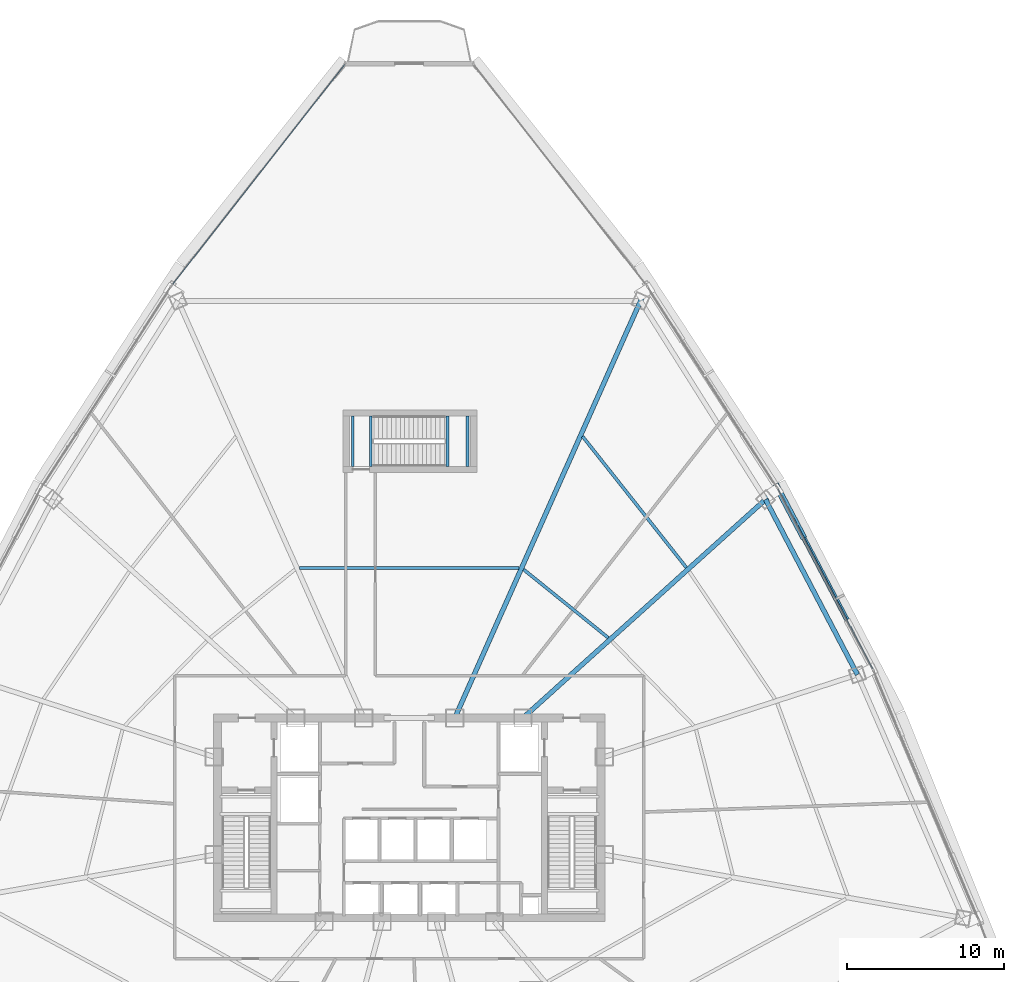
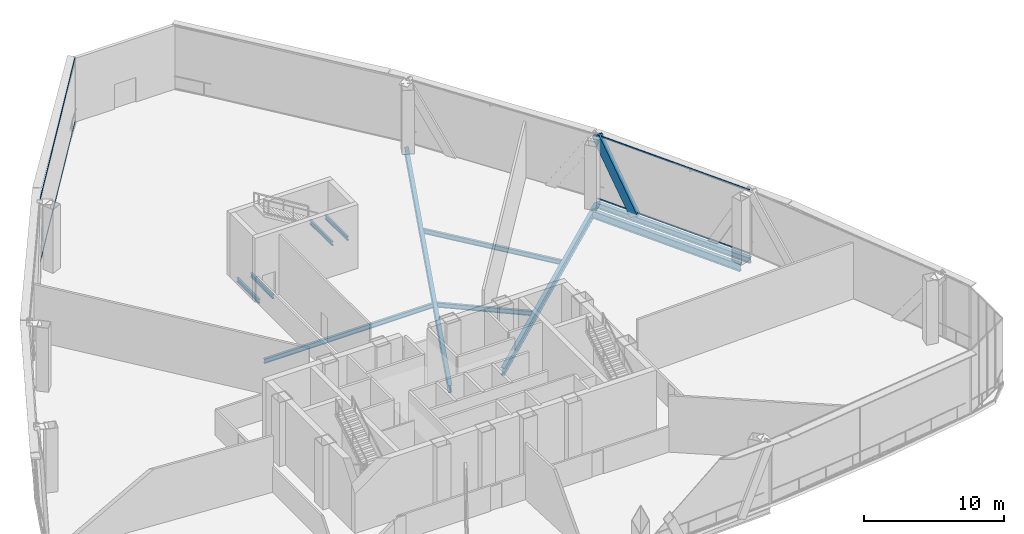
# One storey, part 19 of 38: 11 beams, 5 members, 2 elements without a shape of their own.
"""IFC4 building model written with IfcOpenShell, lengths in metres."""

import ifcopenshell
import ifcopenshell.guid

model = None  # the IFC model being written
_history = None  # IfcOwnerHistory: only IFC2X3 demands one
_inside = {}  # id of a spatial element -> (the spatial element, [elements in it])
_under = {}  # id of a project, library or spatial element -> (it, [spatial elements below it])
_declared = {}  # id of a project -> (the project, [libraries it declares])
_typed = {}  # id of a type object -> (the type object, [elements of that type])
_made_of = {}  # id of a material, layer set ... -> (it, [elements and type objects made of it])


def new_model(schema):
    """Start an empty IFC model of exactly this schema.

    Asked for "IFC4X3", IfcOpenShell would pick the latest addendum, in which some entities
    have other attributes; the version numbers below select the first issue.
    IFC2X3 requires an IfcOwnerHistory on every rooted entity: one is made here for all.
    """
    global model, _history
    if schema == "IFC4X3":
        model = ifcopenshell.file(schema_version=(4, 3, 0, 0))
    else:
        model = ifcopenshell.file(schema=schema)
    _inside.clear()
    _under.clear()
    _declared.clear()
    _typed.clear()
    _made_of.clear()
    _history = None
    if model.schema == "IFC2X3":
        org = make("IfcOrganization", Name="unknown")
        user = make(
            "IfcPersonAndOrganization",
            ThePerson=make("IfcPerson", FamilyName="unknown"),
            TheOrganization=org,
        )
        app = make(
            "IfcApplication",
            ApplicationDeveloper=org,
            Version="unknown",
            ApplicationFullName="unknown",
            ApplicationIdentifier="unknown",
        )
        _history = make(
            "IfcOwnerHistory",
            OwningUser=user,
            OwningApplication=app,
            ChangeAction="ADDED",
            CreationDate=0,
        )
    return model


def make(cls, **values):
    """One entity of the class cls with the attributes given. An attribute that is None is left unset."""
    return model.create_entity(
        cls, **{name: value for name, value in values.items() if value is not None}
    )


def rooted(cls, **values):
    """An entity with a GlobalId (a new one), such as an element, a storey or a relation."""
    return make(cls, GlobalId=ifcopenshell.guid.new(), OwnerHistory=_history, **values)


def si_unit(unit_type, name, prefix=None):
    """IfcSIUnit, for example si_unit("LENGTHUNIT", "METRE", prefix="MILLI")."""
    return make("IfcSIUnit", UnitType=unit_type, Prefix=prefix, Name=name)


def assignment(units):
    """IfcUnitAssignment: the units of a project."""
    return None if units is None else make("IfcUnitAssignment", Units=units)


def point(xyz):
    """IfcCartesianPoint."""
    return None if xyz is None else make("IfcCartesianPoint", Coordinates=xyz)


def direction(xyz):
    """IfcDirection."""
    return None if xyz is None else make("IfcDirection", DirectionRatios=xyz)


def frame(location, z_axis=None, x_axis=None):
    """IfcAxis2Placement3D, a coordinate frame: its origin and axes. An axis left out is left unset."""
    return make(
        "IfcAxis2Placement3D",
        Location=point(location),
        Axis=direction(z_axis),
        RefDirection=direction(x_axis),
    )


def frame_2d(location, x_axis=None):
    """IfcAxis2Placement2D, a coordinate frame in the plane: its origin and x axis."""
    return make(
        "IfcAxis2Placement2D", Location=point(location), RefDirection=direction(x_axis)
    )


def origin():
    """The frame at (0, 0, 0) with its axes left unset."""
    return frame((0.0, 0.0, 0.0))


def origin_2d():
    """The frame at (0, 0) in the plane with its x axis left unset."""
    return frame_2d((0.0, 0.0))


def place(relative_to, where):
    """IfcLocalPlacement: puts the frame where relative to a parent placement (None: the world)."""
    return make(
        "IfcLocalPlacement", PlacementRelTo=relative_to, RelativePlacement=where
    )


def context(
    kind, dimensions, precision=None, world=None, true_north=None, identifier=None
):
    """IfcGeometricRepresentationContext, for example the 3D "Model" context."""
    return make(
        "IfcGeometricRepresentationContext",
        ContextIdentifier=identifier,
        ContextType=kind,
        CoordinateSpaceDimension=dimensions,
        Precision=precision,
        WorldCoordinateSystem=world,
        TrueNorth=true_north,
    )


def subcontext(parent, identifier, kind, view, scale=None):
    """IfcGeometricRepresentationSubContext, for example "Body" below "Model"."""
    return make(
        "IfcGeometricRepresentationSubContext",
        ContextIdentifier=identifier,
        ContextType=kind,
        ParentContext=parent,
        TargetScale=scale,
        TargetView=view,
    )


def project(units=None, contexts=None):
    """IfcProject with its units and contexts."""
    return rooted(
        "IfcProject",
        Name="project",
        RepresentationContexts=contexts,
        UnitsInContext=assignment(units),
    )


def spatial(cls, under=None, at=None, **own):
    """A site, building, storey or space (cls), placed at a placement, below another one or the project."""
    s = rooted(cls, ObjectPlacement=at, **own)
    if under is not None:
        _under.setdefault(under.id(), (under, []))[1].append(s)
    return s


def profile(cls, at=None, kind="AREA", **sizes):
    """A parametric profile (cls). Its sizes go by their IFC names, for example OverallWidth=200.0."""
    return make(cls, ProfileType=kind, Position=at, **sizes)


def hollow_rectangle(**sizes):
    """IfcRectangleHollowProfileDef."""
    return profile("IfcRectangleHollowProfileDef", **sizes)


def i_section(**sizes):
    """IfcIShapeProfileDef."""
    return profile("IfcIShapeProfileDef", **sizes)


def extrude(swept, where, along, depth):
    """IfcExtrudedAreaSolid: the profile swept, set in the frame where, extruded along a direction by depth."""
    return make(
        "IfcExtrudedAreaSolid",
        SweptArea=swept,
        Position=where,
        ExtrudedDirection=direction(along),
        Depth=depth,
    )


def shape(context_of_items, identifier, shape_type, items):
    """IfcShapeRepresentation: the items that make up one representation, for example the "Body"."""
    return make(
        "IfcShapeRepresentation",
        ContextOfItems=context_of_items,
        RepresentationIdentifier=identifier,
        RepresentationType=shape_type,
        Items=items,
    )


def source(mapping_origin, context_of_items, identifier, shape_type, items):
    """IfcRepresentationMap: a shape defined once, which mapped items show again and again."""
    return make(
        "IfcRepresentationMap",
        MappingOrigin=mapping_origin,
        MappedRepresentation=shape(context_of_items, identifier, shape_type, items),
    )


def transform(
    local_origin,
    x_axis=None,
    y_axis=None,
    z_axis=None,
    scale=None,
    scale2=None,
    scale3=None,
    uniform=True,
):
    """IfcCartesianTransformationOperator3D, or its non-uniform kind. x_axis, y_axis, z_axis: its Axis1, 2, 3."""
    if uniform:
        return make(
            "IfcCartesianTransformationOperator3D",
            Axis1=direction(x_axis),
            Axis2=direction(y_axis),
            LocalOrigin=point(local_origin),
            Scale=scale,
            Axis3=direction(z_axis),
        )
    return make(
        "IfcCartesianTransformationOperator3DnonUniform",
        Axis1=direction(x_axis),
        Axis2=direction(y_axis),
        LocalOrigin=point(local_origin),
        Scale=scale,
        Axis3=direction(z_axis),
        Scale2=scale2,
        Scale3=scale3,
    )


def mapped(mapping_source, mapping_target):
    """IfcMappedItem: shows the shape of a source again, moved by a transform."""
    return make(
        "IfcMappedItem", MappingSource=mapping_source, MappingTarget=mapping_target
    )


def material(Name=None, Category=None):
    """IfcMaterial."""
    return make("IfcMaterial", Name=Name, Category=Category)


def layer(
    of_material, thickness, ventilated=None, Name=None, Category=None, Priority=None
):
    """IfcMaterialLayer: one layer of a wall or slab, of a material (None: an air gap)."""
    return make(
        "IfcMaterialLayer",
        Material=of_material,
        LayerThickness=thickness,
        IsVentilated=ventilated,
        Name=Name,
        Category=Category,
        Priority=Priority,
    )


def layer_set(layers, Name=None):
    """IfcMaterialLayerSet."""
    return make("IfcMaterialLayerSet", MaterialLayers=layers, LayerSetName=Name)


def material_profile(
    of_material, cross_section, Name=None, Category=None, Priority=None
):
    """IfcMaterialProfile: a cross section and its material."""
    return make(
        "IfcMaterialProfile",
        Name=Name,
        Material=of_material,
        Profile=cross_section,
        Priority=Priority,
        Category=Category,
    )


def profile_set(profiles, Name=None, composite=None):
    """IfcMaterialProfileSet."""
    return make(
        "IfcMaterialProfileSet",
        Name=Name,
        MaterialProfiles=profiles,
        CompositeProfile=composite,
    )


def made_of(thing, what):
    """Note that an element or type object is made of a material, layer set ...; save() writes the relation."""
    if what is not None:
        _made_of.setdefault(what.id(), (what, []))[1].append(thing)
    return thing


def type_object(cls, material=None, **own):
    """A type object (cls), such as IfcWallType, which elements share."""
    return made_of(rooted(cls, **own), material)


def element(
    cls,
    number,
    at=None,
    inside=None,
    cuts=None,
    type_object=None,
    material=None,
    context=None,
    identifier="Body",
    shape_type=None,
    held_by="IfcProductDefinitionShape",
    body=None,
    shapes=None,
    **own,
):
    """One element of the class cls, such as IfcWall. Its Tag is "e" and its number.

    at: its placement. inside: the storey or other place that contains it. cuts: it is an
    opening in that element (IfcRelVoidsElement). A single representation is given by context,
    identifier, shape_type and body (its items); several are given by shapes. held_by: the class
    of the entity that holds the representations. save() writes the other relations.
    """
    e = rooted(cls, Tag="e%d" % number, ObjectPlacement=at, **own)
    if body is not None:
        shapes = [shape(context, identifier, shape_type, body)]
    if shapes is not None:
        e.Representation = make(held_by, Representations=shapes)
    if inside is not None:
        _inside.setdefault(inside.id(), (inside, []))[1].append(e)
    if cuts is not None:
        rooted(
            "IfcRelVoidsElement", RelatingBuildingElement=cuts, RelatedOpeningElement=e
        )
    if type_object is not None:
        _typed.setdefault(type_object.id(), (type_object, []))[1].append(e)
    return made_of(e, material)


def aggregate(whole, parts):
    """IfcRelAggregates: a whole, such as a stair, and the parts it consists of."""
    return rooted("IfcRelAggregates", RelatingObject=whole, RelatedObjects=parts)


def save(model, path):
    """Write the relations noted so far, then the file.

    IfcRelAggregates (storeys below a building ...), IfcRelContainedInSpatialStructure (elements
    in a storey), IfcRelDefinesByType, IfcRelAssociatesMaterial and IfcRelDeclares: one each for
    every whole, place, type object, material and project.
    """
    for whole, parts in _under.values():
        aggregate(whole, parts)
    for where, things in _inside.values():
        rooted(
            "IfcRelContainedInSpatialStructure",
            RelatedElements=things,
            RelatingStructure=where,
        )
    for kind, things in _typed.values():
        rooted("IfcRelDefinesByType", RelatedObjects=things, RelatingType=kind)
    for what, things in _made_of.values():
        rooted("IfcRelAssociatesMaterial", RelatedObjects=things, RelatingMaterial=what)
    for by, libraries in _declared.values():
        rooted("IfcRelDeclares", RelatingContext=by, RelatedDefinitions=libraries)
    model.write(path)


model = new_model("IFC4")

# Units and contexts
model_context = context("Model", 3, precision=1e-05, world=origin(), true_north=direction((0.0, 1.0)))
body_context = subcontext(model_context, "Body", "Model", "MODEL_VIEW")
ifc_project = project(units=[si_unit("LENGTHUNIT", "METRE"), si_unit("AREAUNIT", "SQUARE_METRE"), si_unit("VOLUMEUNIT", "CUBIC_METRE"), si_unit("PLANEANGLEUNIT", "RADIAN"), si_unit("MASSUNIT", "GRAM", prefix="KILO"), si_unit("THERMODYNAMICTEMPERATUREUNIT", "KELVIN"), si_unit("POWERUNIT", "WATT")], contexts=[model_context])

# Site, building, storey
site_placement = place(None, origin())
site = spatial("IfcSite", under=ifc_project, at=site_placement, CompositionType="ELEMENT")
building_placement = place(site_placement, origin())
building = spatial("IfcBuilding", under=site, at=building_placement, Name="Yunzhuo Pagoda Commons", CompositionType="ELEMENT")
storey_placement = place(building_placement, frame((0.0, 0.0, 218.9599609375)))
storey = spatial("IfcBuildingStorey", under=building, at=storey_placement, Name="L55", CompositionType="ELEMENT", Elevation=218.9599609375)

# Beams
ifc_material_1 = material(Name="Structural steel Q355B", Category="steel")
ifc_material_profile_1 = material_profile(ifc_material_1, i_section(OverallWidth=0.175048828125, OverallDepth=0.35009765625, WebThickness=0.007080078125, FlangeThickness=0.010986328125, at=origin_2d()), Name="Structural steel Q355B")
ifc_profile_set_1 = profile_set([ifc_material_profile_1], Name="Structural steel Q355B")
beam_type_1 = type_object("IfcBeamType", Name="B-JS2 Joist HN 350x175x7x11", PredefinedType="JOIST", material=ifc_profile_set_1)
shared_shape_1 = source(origin(), body_context, "Body", "SweptSolid", [
    extrude(i_section(OverallWidth=0.175048828125, OverallDepth=0.35009765625, WebThickness=0.007080078125, FlangeThickness=0.010986328125, at=origin_2d()), origin(), (0.0, 0.0, 1.0), 3.199951171875),
])
for number, where, z_axis, x_axis, name in (
    (1, (50.429931640625, 56.199951171875, 2.550048828125), (0.0, 1.0, 0.0), (-1.0, 0.0, 0.0), "L55 ST3 landing support beam 61A"),
    (2, (51.699951171875, 56.199951171875, 2.550048828125), (0.0, 1.0, 0.0), (-1.0, 0.0, 0.0), "L55 ST3 landing support beam 61B"),
    (3, (44.39990234375, 56.199951171875, -0.375), (0.0, 1.0, 0.0), (-1.0, 0.0, 0.0), "L55 ST3 landing support beam 129A"),
    (4, (45.550048828125, 56.199951171875, -0.375), (0.0, 1.0, 0.0), (-1.0, 0.0, 0.0), "L55 ST3 landing support beam 129B"),
):
    element("IfcBeam", number, at=place(storey_placement, frame(where, z_axis=z_axis, x_axis=x_axis)), inside=storey, type_object=beam_type_1, Name=name, PredefinedType="JOIST", context=body_context, shape_type="MappedRepresentation", body=[
        mapped(shared_shape_1, transform((0.0, 0.0, 0.0), scale=1.0)),
    ])
ifc_material_profile_2 = material_profile(ifc_material_1, i_section(OverallWidth=0.300048828125, OverallDepth=0.64990234375, WebThickness=0.012939453125, FlangeThickness=0.02197265625, at=origin_2d()), Name="Structural steel Q355B")
ifc_profile_set_2 = profile_set([ifc_material_profile_2], Name="Structural steel Q355B")
beam_type_2 = type_object("IfcBeamType", Name="B-RG2 Beam HN 650x300x13x22", PredefinedType="BEAM", material=ifc_profile_set_2)
shared_shape_2 = source(origin(), body_context, "Body", "SweptSolid", [
    extrude(i_section(OverallWidth=0.300048828125, OverallDepth=0.64990234375, WebThickness=0.012939453125, FlangeThickness=0.02197265625, at=origin_2d()), origin(), (0.0, 0.0, 1.0), 12.576416015625),
])
beam_1_placement = place(storey_placement, frame((76.49462890625, 42.95849609375, -0.604736328125), z_axis=(-0.464676385233, 0.885480579689, 0.0), x_axis=(-0.885480579689, -0.464676385233, 0.0)))
element("IfcBeam", 5, at=beam_1_placement, inside=storey, type_object=beam_type_2, Name="L55 column-ring beam 6", PredefinedType="BEAM", context=body_context, shape_type="MappedRepresentation", body=[
    mapped(shared_shape_2, transform((0.0, 0.0, 0.0), scale=1.0)),
])
ifc_material_profile_3 = material_profile(ifc_material_1, i_section(OverallWidth=0.199951171875, OverallDepth=0.39990234375, WebThickness=0.008056640625, FlangeThickness=0.012939453125, at=origin_2d()), Name="Structural steel Q355B")
ifc_profile_set_3 = profile_set([ifc_material_profile_3], Name="Structural steel Q355B")
beam_type_3 = type_object("IfcBeamType", Name="B-JS1 Joist HN 400x200x8x13", PredefinedType="JOIST", material=ifc_profile_set_3)
shared_shape_3 = source(origin(), body_context, "Body", "SweptSolid", [
    extrude(i_section(OverallWidth=0.199951171875, OverallDepth=0.39990234375, WebThickness=0.008056640625, FlangeThickness=0.012939453125, at=origin_2d()), origin(), (0.0, 0.0, 1.0), 6.916748046875),
])
beam_2_placement = place(storey_placement, frame((60.650634765625, 45.302001953125, -0.479736328125), z_axis=(-0.778265575865, 0.627935262127, 0.0), x_axis=(-0.627935262127, -0.778265575865, 0.0)))
element("IfcBeam", 6, at=beam_2_placement, inside=storey, type_object=beam_type_3, Name="L55 composite ring joist 1.7", PredefinedType="JOIST", context=body_context, shape_type="MappedRepresentation", body=[
    mapped(shared_shape_3, transform((0.0, 0.0, 0.0), scale=1.0)),
])
shared_shape_4 = source(origin(), body_context, "Body", "SweptSolid", [
    extrude(i_section(OverallWidth=0.199951171875, OverallDepth=0.39990234375, WebThickness=0.008056640625, FlangeThickness=0.012939453125, at=origin_2d()), origin(), (0.0, 0.0, 1.0), 10.62548828125),
])
beam_3_placement = place(storey_placement, frame((65.614013671875, 49.773193359375, -0.479736328125), z_axis=(-0.620561688531, 0.784157631301, 0.0), x_axis=(-0.784157631301, -0.620561688531, 0.0)))
element("IfcBeam", 7, at=beam_3_placement, inside=storey, type_object=beam_type_3, Name="L55 composite ring joist 2.7", PredefinedType="JOIST", context=body_context, shape_type="MappedRepresentation", body=[
    mapped(shared_shape_4, transform((0.0, 0.0, 0.0), scale=1.0)),
])
shared_shape_5 = source(origin(), body_context, "Body", "SweptSolid", [
    extrude(i_section(OverallWidth=0.199951171875, OverallDepth=0.39990234375, WebThickness=0.008056640625, FlangeThickness=0.012939453125, at=origin_2d()), origin(), (0.0, 0.0, 1.0), 13.9697265625),
])
beam_4_placement = place(storey_placement, frame((54.98486328125, 49.7451171875, -0.479736328125), z_axis=(-1.0, 0.0, 0.0), x_axis=(0.0, -1.0, 0.0)))
element("IfcBeam", 8, at=beam_4_placement, inside=storey, type_object=beam_type_3, Name="L55 composite ring joist 1.8", PredefinedType="JOIST", context=body_context, shape_type="MappedRepresentation", body=[
    mapped(shared_shape_5, transform((0.0, 0.0, 0.0), scale=1.0)),
])
shared_shape_6 = source(origin(), body_context, "Body", "SweptSolid", [
    extrude(i_section(OverallWidth=0.300048828125, OverallDepth=0.64990234375, WebThickness=0.012939453125, FlangeThickness=0.02197265625, at=origin_2d()), origin(), (0.0, 0.0, 1.0), 21.66064453125),
])
beam_5_placement = place(storey_placement, frame((71.31591796875, 54.69384765625, -0.604736328125), z_axis=(-0.743141125535, -0.669134715539, 0.0), x_axis=(0.669134715539, -0.743141125535, 0.0)))
element("IfcBeam", 9, at=beam_5_placement, inside=storey, type_object=beam_type_2, Name="L55 radial floor girder F2C3", PredefinedType="BEAM", context=body_context, shape_type="MappedRepresentation", body=[
    mapped(shared_shape_6, transform((0.0, 0.0, 0.0), scale=1.0)),
])
shared_shape_7 = source(origin(), body_context, "Body", "SweptSolid", [
    extrude(i_section(OverallWidth=0.300048828125, OverallDepth=0.64990234375, WebThickness=0.012939453125, FlangeThickness=0.02197265625, at=origin_2d()), origin(), (0.0, 0.0, 1.0), 29.918701171875),
])
beam_6_placement = place(storey_placement, frame((63.06298828125, 67.531982421875, -0.604736328125), z_axis=(-0.406734996524, -0.913546190733, 0.0), x_axis=(0.913546190733, -0.406734996524, 0.0)))
element("IfcBeam", 10, at=beam_6_placement, inside=storey, type_object=beam_type_2, Name="L55 radial floor girder F2C4", PredefinedType="BEAM", context=body_context, shape_type="MappedRepresentation", body=[
    mapped(shared_shape_7, transform((0.0, 0.0, 0.0), scale=1.0)),
])
ifc_material_profile_4 = material_profile(ifc_material_1, i_section(OverallWidth=0.300048828125, OverallDepth=0.488037109375, WebThickness=0.010986328125, FlangeThickness=0.01806640625, at=origin_2d()), Name="Structural steel Q355B")
ifc_profile_set_4 = profile_set([ifc_material_profile_4], Name="Structural steel Q355B")
beam_type_4 = type_object("IfcBeamType", Name="B-SP1 Beam HM 488x300x11x18", PredefinedType="BEAM", material=ifc_profile_set_4)
shared_shape_8 = source(origin(), body_context, "Body", "SweptSolid", [
    extrude(i_section(OverallWidth=0.300048828125, OverallDepth=0.488037109375, WebThickness=0.010986328125, FlangeThickness=0.01806640625, at=origin_2d()), origin(), (0.0, 0.0, 1.0), 13.012939453125),
])
beam_7_placement = place(storey_placement, frame((77.493408203125, 43.282958984375, -0.52392578125), z_axis=(-0.465884065352, 0.884845770545, 0.0), x_axis=(-0.884845770545, -0.465884065352, 0.0)))
element("IfcBeam", 11, at=beam_7_placement, inside=storey, type_object=beam_type_4, Name="L55 facade edge spandrel beam F2.2", PredefinedType="BEAM", context=body_context, shape_type="MappedRepresentation", body=[
    mapped(shared_shape_8, transform((0.0, 0.0, 0.0), scale=1.0)),
])

# Member
ifc_material_profile_5 = material_profile(ifc_material_1, hollow_rectangle(XDim=0.39990234375, YDim=0.719970703125, WallThickness=0.02392578125, at=origin_2d()), Name="Structural steel Q355B")
ifc_profile_set_5 = profile_set([ifc_material_profile_5], Name="Structural steel Q355B")
member_type_1 = type_object("IfcMemberType", Name="M-DL2 Brace BOX 720x400x24", PredefinedType="BRACE", material=ifc_profile_set_5)
shared_shape_9 = source(origin(), body_context, "Body", "SweptSolid", [
    extrude(hollow_rectangle(XDim=0.39990234375, YDim=0.719970703125, WallThickness=0.02392578125, at=origin_2d()), origin(), (0.0, 0.0, 1.0), 6.69384765625),
])
member_1_placement = place(storey_placement, frame((72.946533203125, 51.918701171875, -0.280029296875), z_axis=(-0.226420951249, 0.430046623096, 0.873952776069), x_axis=(-0.884849842576, -0.46587633133, 0.0)))
element("IfcMember", 12, at=member_1_placement, inside=storey, type_object=member_type_1, Name="L55 facade diamond brace F2.2R", PredefinedType="BRACE", context=body_context, shape_type="MappedRepresentation", body=[
    mapped(shared_shape_9, transform((0.0, 0.0, 0.0), scale=1.0)),
])

# Curtain wall, members
ifc_material_2 = material(Name="Anodized aluminium 6063-T6", Category="aluminium")
ifc_layer = layer(ifc_material_2, 0.14990234375)
ifc_layer_set = layer_set([ifc_layer], Name="Anodized aluminium 6063-T6")
curtain_wall_type = type_object("IfcCurtainWallType", Name="CW-MID Mid-Zone Ribbon Curtain Wall", PredefinedType="NOTDEFINED", material=ifc_layer_set)
curtain_wall_1_placement = place(storey_placement, origin())
curtain_wall_1 = element("IfcCurtainWall", 13, at=curtain_wall_1_placement, inside=storey, type_object=curtain_wall_type, Name="L55 curtain wall CW-L55-F2B3", PredefinedType="NOTDEFINED")
ifc_material_profile_6 = material_profile(ifc_material_2, hollow_rectangle(XDim=0.054931640625, YDim=0.1298828125, WallThickness=0.00341796875, at=origin_2d()), Name="Anodized aluminium 6063-T6")
ifc_profile_set_6 = profile_set([ifc_material_profile_6], Name="Anodized aluminium 6063-T6")
member_type_2 = type_object("IfcMemberType", Name="CW-MID-T Transom RHS 130x55x3.5", PredefinedType="USERDEFINED", material=ifc_profile_set_6)
shared_shape_10 = source(origin(), body_context, "Body", "SweptSolid", [
    extrude(hollow_rectangle(XDim=0.054931640625, YDim=0.1298828125, WallThickness=0.00341796875, at=origin_2d()), origin(), (0.0, 0.0, 1.0), 12.892578125),
])
member_2_placement = place(storey_placement, frame((77.46533203125, 43.336181640625, 0.027587890625), z_axis=(-0.465877546024, 0.884849203035, 0.0), x_axis=(-0.884849203035, -0.465877546024, 0.0)))
member_2 = element("IfcMember", 14, at=member_2_placement, type_object=member_type_2, Name="CW transom 1.1", ObjectType="TRANSOM", PredefinedType="USERDEFINED", context=body_context, shape_type="MappedRepresentation", body=[
    mapped(shared_shape_10, transform((0.0, 0.0, 0.0), scale=1.0)),
])
member_3_placement = place(storey_placement, frame((77.46533203125, 43.336181640625, 5.54248046875), z_axis=(-0.465877546024, 0.884849203035, 0.0), x_axis=(-0.884849203035, -0.465877546024, 0.0)))
member_3 = element("IfcMember", 15, at=member_3_placement, type_object=member_type_2, Name="CW transom 1.2", ObjectType="TRANSOM", PredefinedType="USERDEFINED", context=body_context, shape_type="MappedRepresentation", body=[
    mapped(shared_shape_10, transform((0.0, 0.0, 0.0), scale=1.0)),
])
aggregate(curtain_wall_1, [member_2, member_3])

curtain_wall_2_placement = place(storey_placement, origin())
curtain_wall_2 = element("IfcCurtainWall", 16, at=curtain_wall_2_placement, inside=storey, type_object=curtain_wall_type, Name="L55 curtain wall CW-L55-F3B1", PredefinedType="NOTDEFINED")
shared_shape_11 = source(origin(), body_context, "Body", "SweptSolid", [
    extrude(hollow_rectangle(XDim=0.054931640625, YDim=0.1298828125, WallThickness=0.00341796875, at=origin_2d()), origin(), (0.0, 0.0, 1.0), 17.751220703125),
])
member_4_placement = place(storey_placement, frame((43.900390625, 81.7568359375, 0.027587890625), z_axis=(-0.616474015808, -0.787375252236, 0.0), x_axis=(0.787375252236, -0.616474015808, 0.0)))
member_4 = element("IfcMember", 17, at=member_4_placement, type_object=member_type_2, Name="CW transom 1.1", ObjectType="TRANSOM", PredefinedType="USERDEFINED", context=body_context, shape_type="MappedRepresentation", body=[
    mapped(shared_shape_11, transform((0.0, 0.0, 0.0), scale=1.0)),
])
member_5_placement = place(storey_placement, frame((43.900390625, 81.7568359375, 5.54248046875), z_axis=(-0.616474015808, -0.787375252236, 0.0), x_axis=(0.787375252236, -0.616474015808, 0.0)))
member_5 = element("IfcMember", 18, at=member_5_placement, type_object=member_type_2, Name="CW transom 1.2", ObjectType="TRANSOM", PredefinedType="USERDEFINED", context=body_context, shape_type="MappedRepresentation", body=[
    mapped(shared_shape_11, transform((0.0, 0.0, 0.0), scale=1.0)),
])
aggregate(curtain_wall_2, [member_4, member_5])

save(model, "model.ifc")
